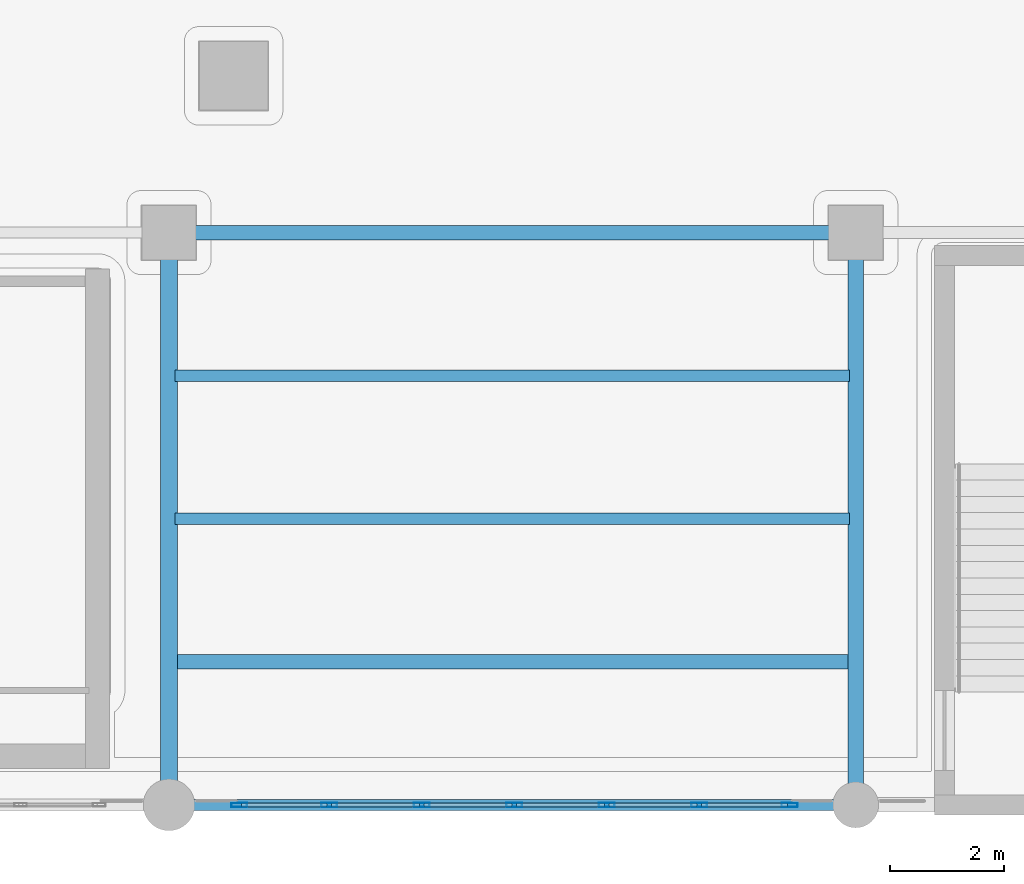
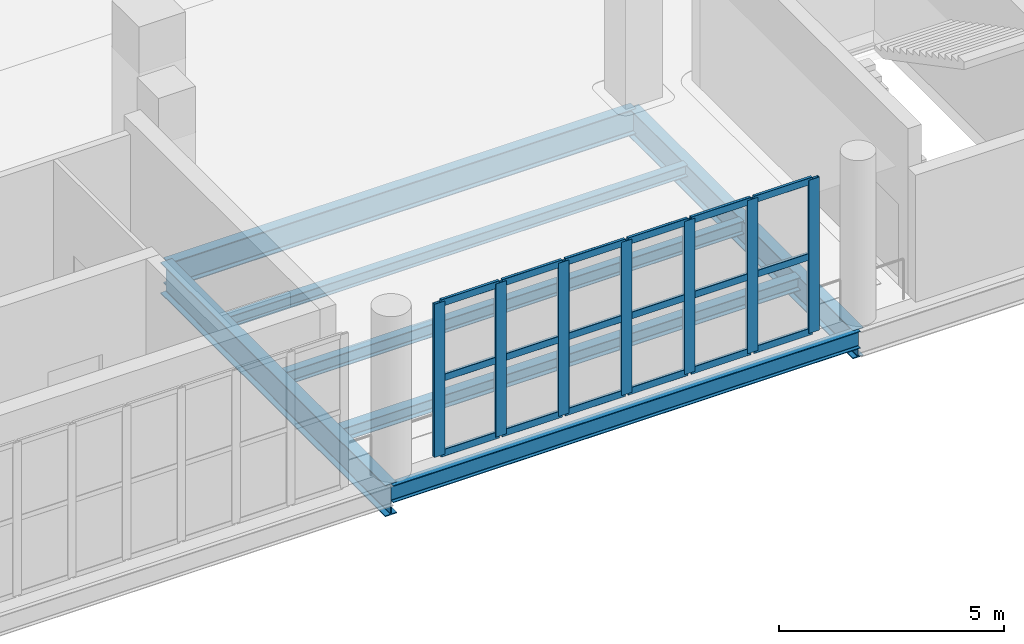
# One storey, part 20 of 90: 25 members, 7 beams, 1 element without a shape of its own.
"""IFC4 building model written with IfcOpenShell, lengths in metres."""

from ifc_helpers import new_model, si_unit, direction, frame, origin, origin_2d, place, context, subcontext, project, spatial, hollow_rectangle, i_section, extrude, material, layer, layer_set, material_profile, profile_set, type_object, element, aggregate, save


model = new_model("IFC4")

# Units and contexts
model_context = context("Model", 3, precision=1e-05, world=origin(), true_north=direction((0.0, 1.0)))
body_context = subcontext(model_context, "Body", "Model", "MODEL_VIEW")
ifc_project = project(units=[si_unit("LENGTHUNIT", "METRE"), si_unit("AREAUNIT", "SQUARE_METRE"), si_unit("VOLUMEUNIT", "CUBIC_METRE"), si_unit("PLANEANGLEUNIT", "RADIAN"), si_unit("MASSUNIT", "GRAM", prefix="KILO")], contexts=[model_context])

# Site, building, storey
site_placement = place(None, origin())
site = spatial("IfcSite", under=ifc_project, at=site_placement, CompositionType="ELEMENT")
building_placement = place(site_placement, origin())
building = spatial("IfcBuilding", under=site, at=building_placement, Name="Brinegate Civic Arena", CompositionType="ELEMENT")
storey_placement = place(building_placement, frame((0.0, 0.0, 14.699951171875)))
storey = spatial("IfcBuildingStorey", under=building, at=storey_placement, Name="L03", CompositionType="ELEMENT", Elevation=14.699951171875)

# Curtain wall, members
ifc_material_1 = material(Name="Marine grade aluminium", Category="aluminium")
ifc_layer = layer(ifc_material_1, 0.25, Name="Marine grade aluminium")
ifc_layer_set = layer_set([ifc_layer], Name="Marine grade aluminium")
curtain_wall_type = type_object("IfcCurtainWallType", Name="CW-PORTAL-SOUTH-02", PredefinedType="USERDEFINED", material=ifc_layer_set)
curtain_wall_placement = place(storey_placement, origin())
curtain_wall = element("IfcCurtainWall", 1, at=curtain_wall_placement, inside=storey, type_object=curtain_wall_type, Name="Curtain Wall CWA-127", ObjectType="PORTAL CURTAIN WALL", PredefinedType="USERDEFINED")
ifc_material_profile_1 = material_profile(ifc_material_1, hollow_rectangle(XDim=0.080078125, YDim=0.280029296875, WallThickness=0.007080078125, InnerFilletRadius=0.0048828125, OuterFilletRadius=0.010009765625, at=origin_2d()), Name="MUL80X280")
ifc_profile_set_1 = profile_set([ifc_material_profile_1], Name="Marine grade aluminium")
member_type_1 = type_object("IfcMemberType", Name="CW-MULLION-80X280", PredefinedType="MULLION", material=ifc_profile_set_1)
member_1_placement = place(storey_placement, frame((97.22607421875, 0.0, 0.0), z_axis=(0.0, 0.0, 1.0), x_axis=(0.0, 1.0, 0.0)))
member_1 = element("IfcMember", 2, at=member_1_placement, type_object=member_type_1, Name="CWA-127 mullion 1", PredefinedType="MULLION", context=body_context, shape_type="SweptSolid", body=[
    extrude(hollow_rectangle(XDim=0.080078125, YDim=0.280029296875, WallThickness=0.007080078125, InnerFilletRadius=0.0048828125, OuterFilletRadius=0.010009765625, at=origin_2d()), origin(), (0.0, 0.0, 1.0), 4.16015625),
])
member_2_placement = place(storey_placement, frame((98.80224609375, 0.0, 0.0), z_axis=(0.0, 0.0, 1.0), x_axis=(0.0, 1.0, 0.0)))
member_2 = element("IfcMember", 3, at=member_2_placement, type_object=member_type_1, Name="CWA-127 mullion 2", PredefinedType="MULLION", context=body_context, shape_type="SweptSolid", body=[
    extrude(hollow_rectangle(XDim=0.080078125, YDim=0.280029296875, WallThickness=0.007080078125, InnerFilletRadius=0.0048828125, OuterFilletRadius=0.010009765625, at=origin_2d()), origin(), (0.0, 0.0, 1.0), 4.16015625),
])
member_3_placement = place(storey_placement, frame((100.418701171875, 0.0, 0.0), z_axis=(0.0, 0.0, 1.0), x_axis=(0.0, 1.0, 0.0)))
member_3 = element("IfcMember", 4, at=member_3_placement, type_object=member_type_1, Name="CWA-127 mullion 3", PredefinedType="MULLION", context=body_context, shape_type="SweptSolid", body=[
    extrude(hollow_rectangle(XDim=0.080078125, YDim=0.280029296875, WallThickness=0.007080078125, InnerFilletRadius=0.0048828125, OuterFilletRadius=0.010009765625, at=origin_2d()), origin(), (0.0, 0.0, 1.0), 4.16015625),
])
member_4_placement = place(storey_placement, frame((102.034912109375, 0.0, 0.0), z_axis=(0.0, 0.0, 1.0), x_axis=(0.0, 1.0, 0.0)))
member_4 = element("IfcMember", 5, at=member_4_placement, type_object=member_type_1, Name="CWA-127 mullion 4", PredefinedType="MULLION", context=body_context, shape_type="SweptSolid", body=[
    extrude(hollow_rectangle(XDim=0.080078125, YDim=0.280029296875, WallThickness=0.007080078125, InnerFilletRadius=0.0048828125, OuterFilletRadius=0.010009765625, at=origin_2d()), origin(), (0.0, 0.0, 1.0), 4.16015625),
])
member_5_placement = place(storey_placement, frame((103.6513671875, 0.0, 0.0), z_axis=(0.0, 0.0, 1.0), x_axis=(0.0, 1.0, 0.0)))
member_5 = element("IfcMember", 6, at=member_5_placement, type_object=member_type_1, Name="CWA-127 mullion 5", PredefinedType="MULLION", context=body_context, shape_type="SweptSolid", body=[
    extrude(hollow_rectangle(XDim=0.080078125, YDim=0.280029296875, WallThickness=0.007080078125, InnerFilletRadius=0.0048828125, OuterFilletRadius=0.010009765625, at=origin_2d()), origin(), (0.0, 0.0, 1.0), 4.16015625),
])
member_6_placement = place(storey_placement, frame((105.267578125, 0.0, 0.0), z_axis=(0.0, 0.0, 1.0), x_axis=(0.0, 1.0, 0.0)))
member_6 = element("IfcMember", 7, at=member_6_placement, type_object=member_type_1, Name="CWA-127 mullion 6", PredefinedType="MULLION", context=body_context, shape_type="SweptSolid", body=[
    extrude(hollow_rectangle(XDim=0.080078125, YDim=0.280029296875, WallThickness=0.007080078125, InnerFilletRadius=0.0048828125, OuterFilletRadius=0.010009765625, at=origin_2d()), origin(), (0.0, 0.0, 1.0), 4.16015625),
])
member_7_placement = place(storey_placement, frame((106.843994140625, 0.0, 0.0), z_axis=(0.0, 0.0, 1.0), x_axis=(0.0, 1.0, 0.0)))
member_7 = element("IfcMember", 8, at=member_7_placement, type_object=member_type_1, Name="CWA-127 mullion 7", PredefinedType="MULLION", context=body_context, shape_type="SweptSolid", body=[
    extrude(hollow_rectangle(XDim=0.080078125, YDim=0.280029296875, WallThickness=0.007080078125, InnerFilletRadius=0.0048828125, OuterFilletRadius=0.010009765625, at=origin_2d()), origin(), (0.0, 0.0, 1.0), 4.16015625),
])
ifc_material_profile_2 = material_profile(ifc_material_1, hollow_rectangle(XDim=0.074951171875, YDim=0.18994140625, WallThickness=0.006103515625, InnerFilletRadius=0.00390625, OuterFilletRadius=0.008056640625, at=origin_2d()), Name="TRN75X190")
ifc_profile_set_2 = profile_set([ifc_material_profile_2], Name="Marine grade aluminium")
member_type_2 = type_object("IfcMemberType", Name="CW-TRANSOM-75X190", PredefinedType="USERDEFINED", material=ifc_profile_set_2)
member_8_placement = place(storey_placement, frame((97.26611328125, 0.0, 0.03759765625), z_axis=(1.0, 0.0, 0.0), x_axis=(0.0, 1.0, 0.0)))
member_8 = element("IfcMember", 9, at=member_8_placement, type_object=member_type_2, Name="CWA-127 transom 1.1", ObjectType="TRANSOM", PredefinedType="USERDEFINED", context=body_context, shape_type="SweptSolid", body=[
    extrude(hollow_rectangle(XDim=0.074951171875, YDim=0.18994140625, WallThickness=0.006103515625, InnerFilletRadius=0.00390625, OuterFilletRadius=0.008056640625, at=origin_2d()), origin(), (0.0, 0.0, 1.0), 1.496337890625),
])
member_9_placement = place(storey_placement, frame((97.26611328125, 0.0, 2.080078125), z_axis=(1.0, 0.0, 0.0), x_axis=(0.0, 1.0, 0.0)))
member_9 = element("IfcMember", 10, at=member_9_placement, type_object=member_type_2, Name="CWA-127 transom 1.2", ObjectType="TRANSOM", PredefinedType="USERDEFINED", context=body_context, shape_type="SweptSolid", body=[
    extrude(hollow_rectangle(XDim=0.074951171875, YDim=0.18994140625, WallThickness=0.006103515625, InnerFilletRadius=0.00390625, OuterFilletRadius=0.008056640625, at=origin_2d()), origin(), (0.0, 0.0, 1.0), 1.496337890625),
])
member_10_placement = place(storey_placement, frame((97.26611328125, 0.0, 4.12255859375), z_axis=(1.0, 0.0, 0.0), x_axis=(0.0, 1.0, 0.0)))
member_10 = element("IfcMember", 11, at=member_10_placement, type_object=member_type_2, Name="CWA-127 transom 1.3", ObjectType="TRANSOM", PredefinedType="USERDEFINED", context=body_context, shape_type="SweptSolid", body=[
    extrude(hollow_rectangle(XDim=0.074951171875, YDim=0.18994140625, WallThickness=0.006103515625, InnerFilletRadius=0.00390625, OuterFilletRadius=0.008056640625, at=origin_2d()), origin(), (0.0, 0.0, 1.0), 1.496337890625),
])
member_11_placement = place(storey_placement, frame((98.84228515625, 0.0, 0.03759765625), z_axis=(1.0, 0.0, 0.0), x_axis=(0.0, 1.0, 0.0)))
member_11 = element("IfcMember", 12, at=member_11_placement, type_object=member_type_2, Name="CWA-127 transom 2.1", ObjectType="TRANSOM", PredefinedType="USERDEFINED", context=body_context, shape_type="SweptSolid", body=[
    extrude(hollow_rectangle(XDim=0.074951171875, YDim=0.18994140625, WallThickness=0.006103515625, InnerFilletRadius=0.00390625, OuterFilletRadius=0.008056640625, at=origin_2d()), origin(), (0.0, 0.0, 1.0), 1.536376953125),
])
member_12_placement = place(storey_placement, frame((98.84228515625, 0.0, 2.080078125), z_axis=(1.0, 0.0, 0.0), x_axis=(0.0, 1.0, 0.0)))
member_12 = element("IfcMember", 13, at=member_12_placement, type_object=member_type_2, Name="CWA-127 transom 2.2", ObjectType="TRANSOM", PredefinedType="USERDEFINED", context=body_context, shape_type="SweptSolid", body=[
    extrude(hollow_rectangle(XDim=0.074951171875, YDim=0.18994140625, WallThickness=0.006103515625, InnerFilletRadius=0.00390625, OuterFilletRadius=0.008056640625, at=origin_2d()), origin(), (0.0, 0.0, 1.0), 1.536376953125),
])
member_13_placement = place(storey_placement, frame((98.84228515625, 0.0, 4.12255859375), z_axis=(1.0, 0.0, 0.0), x_axis=(0.0, 1.0, 0.0)))
member_13 = element("IfcMember", 14, at=member_13_placement, type_object=member_type_2, Name="CWA-127 transom 2.3", ObjectType="TRANSOM", PredefinedType="USERDEFINED", context=body_context, shape_type="SweptSolid", body=[
    extrude(hollow_rectangle(XDim=0.074951171875, YDim=0.18994140625, WallThickness=0.006103515625, InnerFilletRadius=0.00390625, OuterFilletRadius=0.008056640625, at=origin_2d()), origin(), (0.0, 0.0, 1.0), 1.536376953125),
])
member_14_placement = place(storey_placement, frame((100.458740234375, 0.0, 0.03759765625), z_axis=(1.0, 0.0, 0.0), x_axis=(0.0, 1.0, 0.0)))
member_14 = element("IfcMember", 15, at=member_14_placement, type_object=member_type_2, Name="CWA-127 transom 3.1", ObjectType="TRANSOM", PredefinedType="USERDEFINED", context=body_context, shape_type="SweptSolid", body=[
    extrude(hollow_rectangle(XDim=0.074951171875, YDim=0.18994140625, WallThickness=0.006103515625, InnerFilletRadius=0.00390625, OuterFilletRadius=0.008056640625, at=origin_2d()), origin(), (0.0, 0.0, 1.0), 1.536376953125),
])
member_15_placement = place(storey_placement, frame((100.458740234375, 0.0, 2.080078125), z_axis=(1.0, 0.0, 0.0), x_axis=(0.0, 1.0, 0.0)))
member_15 = element("IfcMember", 16, at=member_15_placement, type_object=member_type_2, Name="CWA-127 transom 3.2", ObjectType="TRANSOM", PredefinedType="USERDEFINED", context=body_context, shape_type="SweptSolid", body=[
    extrude(hollow_rectangle(XDim=0.074951171875, YDim=0.18994140625, WallThickness=0.006103515625, InnerFilletRadius=0.00390625, OuterFilletRadius=0.008056640625, at=origin_2d()), origin(), (0.0, 0.0, 1.0), 1.536376953125),
])
member_16_placement = place(storey_placement, frame((100.458740234375, 0.0, 4.12255859375), z_axis=(1.0, 0.0, 0.0), x_axis=(0.0, 1.0, 0.0)))
member_16 = element("IfcMember", 17, at=member_16_placement, type_object=member_type_2, Name="CWA-127 transom 3.3", ObjectType="TRANSOM", PredefinedType="USERDEFINED", context=body_context, shape_type="SweptSolid", body=[
    extrude(hollow_rectangle(XDim=0.074951171875, YDim=0.18994140625, WallThickness=0.006103515625, InnerFilletRadius=0.00390625, OuterFilletRadius=0.008056640625, at=origin_2d()), origin(), (0.0, 0.0, 1.0), 1.536376953125),
])
member_17_placement = place(storey_placement, frame((102.074951171875, 0.0, 0.03759765625), z_axis=(1.0, 0.0, 0.0), x_axis=(0.0, 1.0, 0.0)))
member_17 = element("IfcMember", 18, at=member_17_placement, type_object=member_type_2, Name="CWA-127 transom 4.1", ObjectType="TRANSOM", PredefinedType="USERDEFINED", context=body_context, shape_type="SweptSolid", body=[
    extrude(hollow_rectangle(XDim=0.074951171875, YDim=0.18994140625, WallThickness=0.006103515625, InnerFilletRadius=0.00390625, OuterFilletRadius=0.008056640625, at=origin_2d()), origin(), (0.0, 0.0, 1.0), 1.536376953125),
])
member_18_placement = place(storey_placement, frame((102.074951171875, 0.0, 2.080078125), z_axis=(1.0, 0.0, 0.0), x_axis=(0.0, 1.0, 0.0)))
member_18 = element("IfcMember", 19, at=member_18_placement, type_object=member_type_2, Name="CWA-127 transom 4.2", ObjectType="TRANSOM", PredefinedType="USERDEFINED", context=body_context, shape_type="SweptSolid", body=[
    extrude(hollow_rectangle(XDim=0.074951171875, YDim=0.18994140625, WallThickness=0.006103515625, InnerFilletRadius=0.00390625, OuterFilletRadius=0.008056640625, at=origin_2d()), origin(), (0.0, 0.0, 1.0), 1.536376953125),
])
member_19_placement = place(storey_placement, frame((102.074951171875, 0.0, 4.12255859375), z_axis=(1.0, 0.0, 0.0), x_axis=(0.0, 1.0, 0.0)))
member_19 = element("IfcMember", 20, at=member_19_placement, type_object=member_type_2, Name="CWA-127 transom 4.3", ObjectType="TRANSOM", PredefinedType="USERDEFINED", context=body_context, shape_type="SweptSolid", body=[
    extrude(hollow_rectangle(XDim=0.074951171875, YDim=0.18994140625, WallThickness=0.006103515625, InnerFilletRadius=0.00390625, OuterFilletRadius=0.008056640625, at=origin_2d()), origin(), (0.0, 0.0, 1.0), 1.536376953125),
])
member_20_placement = place(storey_placement, frame((103.69140625, 0.0, 0.03759765625), z_axis=(1.0, 0.0, 0.0), x_axis=(0.0, 1.0, 0.0)))
member_20 = element("IfcMember", 21, at=member_20_placement, type_object=member_type_2, Name="CWA-127 transom 5.1", ObjectType="TRANSOM", PredefinedType="USERDEFINED", context=body_context, shape_type="SweptSolid", body=[
    extrude(hollow_rectangle(XDim=0.074951171875, YDim=0.18994140625, WallThickness=0.006103515625, InnerFilletRadius=0.00390625, OuterFilletRadius=0.008056640625, at=origin_2d()), origin(), (0.0, 0.0, 1.0), 1.536376953125),
])
member_21_placement = place(storey_placement, frame((103.69140625, 0.0, 2.080078125), z_axis=(1.0, 0.0, 0.0), x_axis=(0.0, 1.0, 0.0)))
member_21 = element("IfcMember", 22, at=member_21_placement, type_object=member_type_2, Name="CWA-127 transom 5.2", ObjectType="TRANSOM", PredefinedType="USERDEFINED", context=body_context, shape_type="SweptSolid", body=[
    extrude(hollow_rectangle(XDim=0.074951171875, YDim=0.18994140625, WallThickness=0.006103515625, InnerFilletRadius=0.00390625, OuterFilletRadius=0.008056640625, at=origin_2d()), origin(), (0.0, 0.0, 1.0), 1.536376953125),
])
member_22_placement = place(storey_placement, frame((103.69140625, 0.0, 4.12255859375), z_axis=(1.0, 0.0, 0.0), x_axis=(0.0, 1.0, 0.0)))
member_22 = element("IfcMember", 23, at=member_22_placement, type_object=member_type_2, Name="CWA-127 transom 5.3", ObjectType="TRANSOM", PredefinedType="USERDEFINED", context=body_context, shape_type="SweptSolid", body=[
    extrude(hollow_rectangle(XDim=0.074951171875, YDim=0.18994140625, WallThickness=0.006103515625, InnerFilletRadius=0.00390625, OuterFilletRadius=0.008056640625, at=origin_2d()), origin(), (0.0, 0.0, 1.0), 1.536376953125),
])
member_23_placement = place(storey_placement, frame((105.3076171875, 0.0, 0.03759765625), z_axis=(1.0, 0.0, 0.0), x_axis=(0.0, 1.0, 0.0)))
member_23 = element("IfcMember", 24, at=member_23_placement, type_object=member_type_2, Name="CWA-127 transom 6.1", ObjectType="TRANSOM", PredefinedType="USERDEFINED", context=body_context, shape_type="SweptSolid", body=[
    extrude(hollow_rectangle(XDim=0.074951171875, YDim=0.18994140625, WallThickness=0.006103515625, InnerFilletRadius=0.00390625, OuterFilletRadius=0.008056640625, at=origin_2d()), origin(), (0.0, 0.0, 1.0), 1.496337890625),
])
member_24_placement = place(storey_placement, frame((105.3076171875, 0.0, 2.080078125), z_axis=(1.0, 0.0, 0.0), x_axis=(0.0, 1.0, 0.0)))
member_24 = element("IfcMember", 25, at=member_24_placement, type_object=member_type_2, Name="CWA-127 transom 6.2", ObjectType="TRANSOM", PredefinedType="USERDEFINED", context=body_context, shape_type="SweptSolid", body=[
    extrude(hollow_rectangle(XDim=0.074951171875, YDim=0.18994140625, WallThickness=0.006103515625, InnerFilletRadius=0.00390625, OuterFilletRadius=0.008056640625, at=origin_2d()), origin(), (0.0, 0.0, 1.0), 1.496337890625),
])
member_25_placement = place(storey_placement, frame((105.3076171875, 0.0, 4.12255859375), z_axis=(1.0, 0.0, 0.0), x_axis=(0.0, 1.0, 0.0)))
member_25 = element("IfcMember", 26, at=member_25_placement, type_object=member_type_2, Name="CWA-127 transom 6.3", ObjectType="TRANSOM", PredefinedType="USERDEFINED", context=body_context, shape_type="SweptSolid", body=[
    extrude(hollow_rectangle(XDim=0.074951171875, YDim=0.18994140625, WallThickness=0.006103515625, InnerFilletRadius=0.00390625, OuterFilletRadius=0.008056640625, at=origin_2d()), origin(), (0.0, 0.0, 1.0), 1.496337890625),
])
aggregate(curtain_wall, [member_1, member_2, member_3, member_4, member_5, member_6, member_7, member_8, member_9, member_10, member_11, member_12, member_13, member_14, member_15, member_16, member_17, member_18, member_19, member_20, member_21, member_22, member_23, member_24, member_25])

# Beams
ifc_material_2 = material(Name="Steel S355", Category="steel")
ifc_material_profile_3 = material_profile(ifc_material_2, i_section(OverallWidth=0.26806640625, OverallDepth=0.77001953125, WebThickness=0.01611328125, FlangeThickness=0.02490234375, FilletRadius=0.02001953125, at=origin_2d()), Name="W760X196")
ifc_profile_set_3 = profile_set([ifc_material_profile_3], Name="Steel S355")
beam_type_1 = type_object("IfcBeamType", Name="GIRDER-W760X196", PredefinedType="BEAM", material=ifc_profile_set_3)
beam_1_placement = place(storey_placement, frame((108.0, 0.0, -0.73486328125), z_axis=(0.0, 1.0, 0.0), x_axis=(-1.0, 0.0, 0.0)))
element("IfcBeam", 27, at=beam_1_placement, inside=storey, type_object=beam_type_1, Name="Floor Girder BM-L03-GY-09-00", PredefinedType="BEAM", context=body_context, shape_type="SweptSolid", body=[
    extrude(i_section(OverallWidth=0.26806640625, OverallDepth=0.77001953125, WebThickness=0.01611328125, FlangeThickness=0.02490234375, FilletRadius=0.02001953125, at=origin_2d()), origin(), (0.0, 0.0, 1.0), 10.0),
])
ifc_material_profile_4 = material_profile(ifc_material_2, i_section(OverallWidth=0.2939453125, OverallDepth=0.85107421875, WebThickness=0.01611328125, FlangeThickness=0.027099609375, FilletRadius=0.02197265625, at=origin_2d()), Name="W840X226")
ifc_profile_set_4 = profile_set([ifc_material_profile_4], Name="Steel S355")
beam_type_2 = type_object("IfcBeamType", Name="GIRDER-W840X226", PredefinedType="BEAM", material=ifc_profile_set_4)
beam_2_placement = place(storey_placement, frame((96.0, 0.0, -0.77490234375), z_axis=(0.0, 1.0, 0.0), x_axis=(-1.0, 0.0, 0.0)))
element("IfcBeam", 28, at=beam_2_placement, inside=storey, type_object=beam_type_2, Name="Floor Girder BM-L03-GY-08-00", PredefinedType="BEAM", context=body_context, shape_type="SweptSolid", body=[
    extrude(i_section(OverallWidth=0.2939453125, OverallDepth=0.85107421875, WebThickness=0.01611328125, FlangeThickness=0.027099609375, FilletRadius=0.02197265625, at=origin_2d()), origin(), (0.0, 0.0, 1.0), 10.0),
])
ifc_material_profile_5 = material_profile(ifc_material_2, i_section(OverallWidth=0.205078125, OverallDepth=0.31005859375, WebThickness=0.009033203125, FlangeThickness=0.01611328125, FilletRadius=0.012939453125, at=origin_2d()), Name="W310X74")
ifc_profile_set_5 = profile_set([ifc_material_profile_5], Name="Steel S355")
beam_type_3 = type_object("IfcBeamType", Name="JOIST-W310X74", PredefinedType="JOIST", material=ifc_profile_set_5)
beam_3_placement = place(storey_placement, frame((96.10595703125, 7.5, -0.5048828125), z_axis=(1.0, 0.0, 0.0), x_axis=(0.0, 1.0, 0.0)))
element("IfcBeam", 29, at=beam_3_placement, inside=storey, type_object=beam_type_3, Name="Secondary Joist BM-L03-JX-08-00-3", PredefinedType="JOIST", context=body_context, shape_type="SweptSolid", body=[
    extrude(i_section(OverallWidth=0.205078125, OverallDepth=0.31005859375, WebThickness=0.009033203125, FlangeThickness=0.01611328125, FilletRadius=0.012939453125, at=origin_2d()), origin(), (0.0, 0.0, 1.0), 11.7880859375),
])
ifc_material_profile_6 = material_profile(ifc_material_2, i_section(OverallWidth=0.205078125, OverallDepth=0.35400390625, WebThickness=0.009033203125, FlangeThickness=0.01708984375, FilletRadius=0.013916015625, at=origin_2d()), Name="W360X79")
ifc_profile_set_6 = profile_set([ifc_material_profile_6], Name="Steel S355")
beam_type_4 = type_object("IfcBeamType", Name="JOIST-W360X79", PredefinedType="JOIST", material=ifc_profile_set_6)
beam_4_placement = place(storey_placement, frame((96.10595703125, 5.0, -0.52685546875), z_axis=(1.0, 0.0, 0.0), x_axis=(0.0, 1.0, 0.0)))
element("IfcBeam", 30, at=beam_4_placement, inside=storey, type_object=beam_type_4, Name="Secondary Joist BM-L03-JX-08-00-2", PredefinedType="JOIST", context=body_context, shape_type="SweptSolid", body=[
    extrude(i_section(OverallWidth=0.205078125, OverallDepth=0.35400390625, WebThickness=0.009033203125, FlangeThickness=0.01708984375, FilletRadius=0.013916015625, at=origin_2d()), origin(), (0.0, 0.0, 1.0), 11.7880859375),
])
ifc_material_profile_7 = material_profile(ifc_material_2, i_section(OverallWidth=0.25390625, OverallDepth=0.35302734375, WebThickness=0.010009765625, FlangeThickness=0.01611328125, FilletRadius=0.013916015625, at=origin_2d()), Name="W360X91")
ifc_profile_set_7 = profile_set([ifc_material_profile_7], Name="Steel S355")
beam_type_5 = type_object("IfcBeamType", Name="JOIST-W360X91", PredefinedType="JOIST", material=ifc_profile_set_7)
beam_5_placement = place(storey_placement, frame((96.10595703125, 2.5, -0.52587890625), z_axis=(1.0, 0.0, 0.0), x_axis=(0.0, 1.0, 0.0)))
element("IfcBeam", 31, at=beam_5_placement, inside=storey, type_object=beam_type_5, Name="Secondary Joist BM-L03-JX-08-00-1", PredefinedType="JOIST", context=body_context, shape_type="SweptSolid", body=[
    extrude(i_section(OverallWidth=0.25390625, OverallDepth=0.35302734375, WebThickness=0.010009765625, FlangeThickness=0.01611328125, FilletRadius=0.013916015625, at=origin_2d()), origin(), (0.0, 0.0, 1.0), 11.7880859375),
])
ifc_material_profile_8 = material_profile(ifc_material_2, i_section(OverallWidth=0.193115234375, OverallDepth=0.466064453125, WebThickness=0.010986328125, FlangeThickness=0.01904296875, FilletRadius=0.014892578125, at=origin_2d()), Name="W460X97")
ifc_profile_set_8 = profile_set([ifc_material_profile_8], Name="Steel S355")
beam_type_6 = type_object("IfcBeamType", Name="SPANDREL-W460X97", PredefinedType="SPANDREL", material=ifc_profile_set_8)
beam_6_placement = place(storey_placement, frame((96.0, 0.0, -0.5830078125), z_axis=(1.0, 0.0, 0.0), x_axis=(0.0, 1.0, 0.0)))
element("IfcBeam", 32, at=beam_6_placement, inside=storey, type_object=beam_type_6, Name="Floor Girder BM-L03-GX-08-00", PredefinedType="SPANDREL", context=body_context, shape_type="SweptSolid", body=[
    extrude(i_section(OverallWidth=0.193115234375, OverallDepth=0.466064453125, WebThickness=0.010986328125, FlangeThickness=0.01904296875, FilletRadius=0.014892578125, at=origin_2d()), origin(), (0.0, 0.0, 1.0), 12.0),
])
ifc_material_profile_9 = material_profile(ifc_material_2, i_section(OverallWidth=0.256103515625, OverallDepth=0.693115234375, WebThickness=0.014892578125, FlangeThickness=0.02392578125, FilletRadius=0.01806640625, at=origin_2d()), Name="W690X170")
ifc_profile_set_9 = profile_set([ifc_material_profile_9], Name="Steel S355")
beam_type_7 = type_object("IfcBeamType", Name="SPANDREL-W690X170", PredefinedType="SPANDREL", material=ifc_profile_set_9)
beam_7_placement = place(storey_placement, frame((96.0, 10.0, -0.696044921875), z_axis=(1.0, 0.0, 0.0), x_axis=(0.0, 1.0, 0.0)))
element("IfcBeam", 33, at=beam_7_placement, inside=storey, type_object=beam_type_7, Name="Floor Girder BM-L03-GX-08-01", PredefinedType="SPANDREL", context=body_context, shape_type="SweptSolid", body=[
    extrude(i_section(OverallWidth=0.256103515625, OverallDepth=0.693115234375, WebThickness=0.014892578125, FlangeThickness=0.02392578125, FilletRadius=0.01806640625, at=origin_2d()), origin(), (0.0, 0.0, 1.0), 12.0),
])

save(model, "model.ifc")
